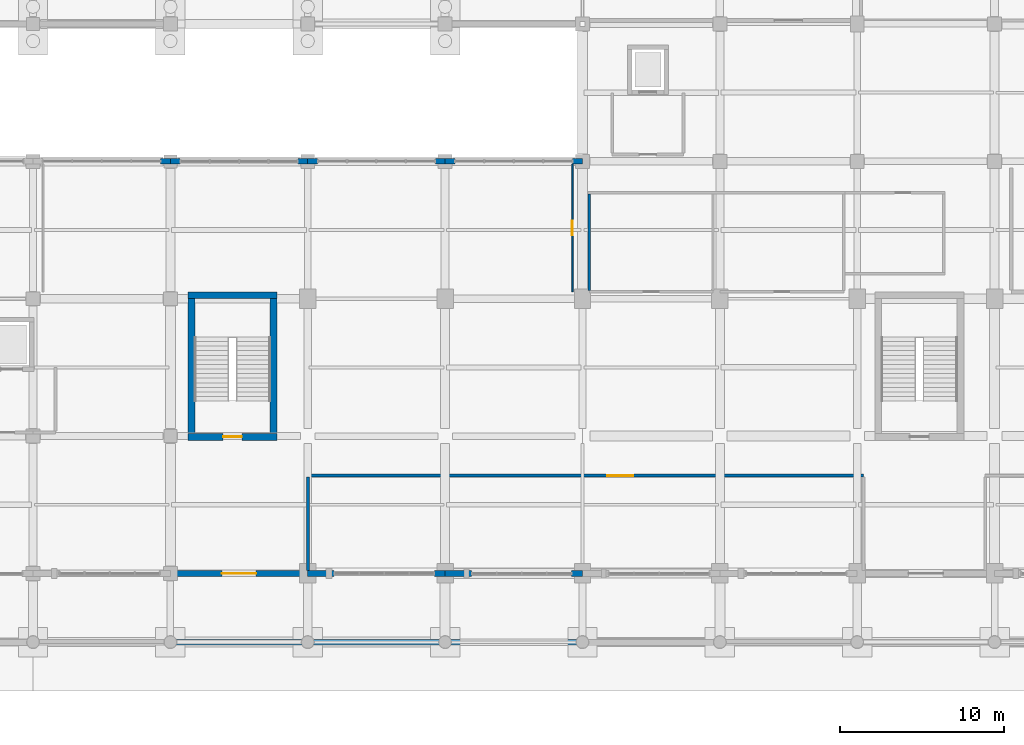
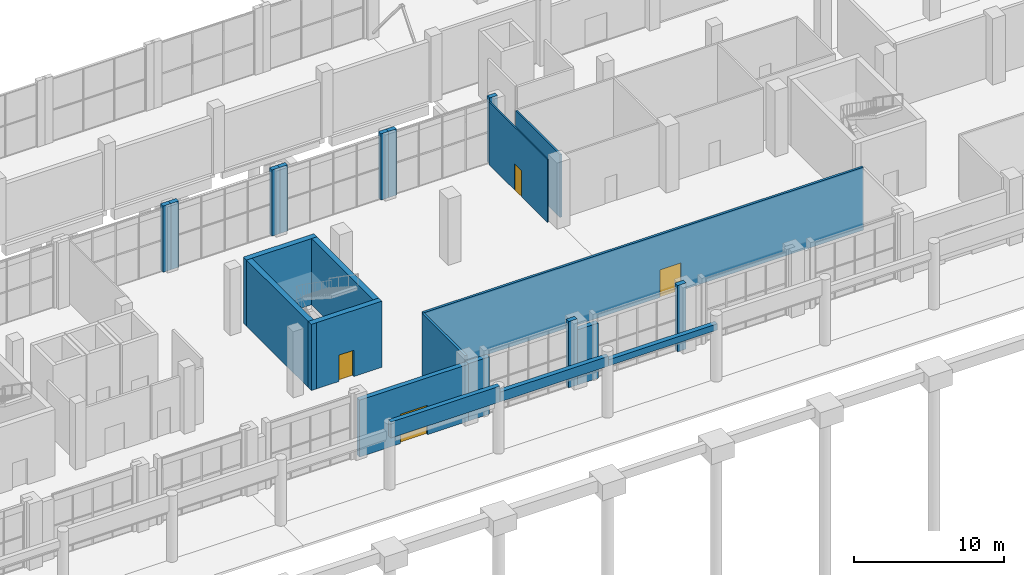
# One storey, part 67 of 82: 23 walls, 4 doors, 4 openings.
"""IFC4 building model written with IfcOpenShell, lengths in metres."""

from ifc_helpers import new_model, si_unit, derived_unit, direction, frame, frame_2d, origin, place, context, subcontext, project, spatial, rectangle, extrude, material, layer, layer_set, type_object, element, fill, save


model = new_model("IFC4")

# Units and contexts
model_context = context("Model", 3, precision=1e-05, world=origin(), true_north=direction((0.0, 1.0)))
body_context = subcontext(model_context, "Body", "Model", "MODEL_VIEW")
ifc_project = project(units=[si_unit("LENGTHUNIT", "METRE"), si_unit("AREAUNIT", "SQUARE_METRE"), si_unit("VOLUMEUNIT", "CUBIC_METRE"), si_unit("PLANEANGLEUNIT", "RADIAN"), si_unit("MASSUNIT", "GRAM", prefix="KILO"), derived_unit("THERMALTRANSMITTANCEUNIT", [(si_unit("POWERUNIT", "WATT"), 1), (si_unit("LENGTHUNIT", "METRE"), -2), (si_unit("THERMODYNAMICTEMPERATUREUNIT", "KELVIN"), -1)])], contexts=[model_context])

# Site, building, storey
site_placement = place(None, origin())
site = spatial("IfcSite", under=ifc_project, at=site_placement, CompositionType="ELEMENT")
building_placement = place(site_placement, origin())
building = spatial("IfcBuilding", under=site, at=building_placement, Name="Barrovel Congress Hotel", CompositionType="ELEMENT")
storey_placement = place(building_placement, origin())
storey = spatial("IfcBuildingStorey", under=building, at=storey_placement, Name="L00", CompositionType="ELEMENT", Elevation=0.0)

# Walls
ifc_material_1 = material(Name="Fired Clay Brick Masonry", Category="masonry")
ifc_layer_1 = layer(ifc_material_1, 0.35009765625)
ifc_layer_set_1 = layer_set([ifc_layer_1], Name="Fired Clay Brick Masonry")
wall_type_1 = type_object("IfcWallType", Name="EW-ARC350", PredefinedType="STANDARD", material=ifc_layer_set_1)
wall_1_placement = place(storey_placement, frame((100.800048828125, 0.0, 4.10009765625), z_axis=(0.0, 0.0, 1.0), x_axis=(1.0, 0.0, 0.0)))
element("IfcWall", 1, at=wall_1_placement, inside=storey, type_object=wall_type_1, Name="EW:L00:ARC:12", PredefinedType="STANDARD", context=body_context, shape_type="SweptSolid", body=[
    extrude(rectangle(XDim=8.39990234375, YDim=0.35009765625, at=frame_2d((4.199951171875, 0.0))), origin(), (0.0, 0.0, 1.0), 1.2998046875),
])
wall_2_placement = place(storey_placement, frame((109.199951171875, 0.0, 4.10009765625), z_axis=(0.0, 0.0, 1.0), x_axis=(1.0, 0.0, 0.0)))
element("IfcWall", 2, at=wall_2_placement, inside=storey, type_object=wall_type_1, Name="EW:L00:ARC:13", PredefinedType="STANDARD", context=body_context, shape_type="SweptSolid", body=[
    extrude(rectangle(XDim=8.400146484375, YDim=0.35009765625, at=frame_2d((4.2001953125, 0.0))), origin(), (0.0, 0.0, 1.0), 0.79296875),
])
wall_3_placement = place(storey_placement, frame((117.60009765625, 0.0, 4.10009765625), z_axis=(0.0, 0.0, 1.0), x_axis=(1.0, 0.0, 0.0)))
element("IfcWall", 3, at=wall_3_placement, inside=storey, type_object=wall_type_1, Name="EW:L00:ARC:14", PredefinedType="STANDARD", context=body_context, shape_type="SweptSolid", body=[
    extrude(rectangle(XDim=8.39990234375, YDim=0.35009765625, at=frame_2d((4.199951171875, 0.0))), origin(), (0.0, 0.0, 1.0), 0.5068359375),
])
ifc_layer_2 = layer(ifc_material_1, 0.340087890625)
ifc_layer_set_2 = layer_set([ifc_layer_2], Name="Fired Clay Brick Masonry")
wall_type_2 = type_object("IfcWallType", Name="EW-BRK340", PredefinedType="STANDARD", material=ifc_layer_set_2)
wall_4_placement = place(storey_placement, frame((126.0, 29.39990234375, 0.0), z_axis=(0.0, 0.0, 1.0), x_axis=(-1.0, 0.0, 0.0)))
element("IfcWall", 4, at=wall_4_placement, inside=storey, type_object=wall_type_2, Name="EW:L00:CSJ-R:14", PredefinedType="STANDARD", context=body_context, shape_type="SweptSolid", body=[
    extrude(rectangle(XDim=0.60009765625, YDim=0.340087890625, at=frame_2d((0.300048828125, 0.0))), origin(), (0.0, 0.0, 1.0), 5.39990234375),
])
wall_5_placement = place(storey_placement, frame((118.199951171875, 29.39990234375, 0.0), z_axis=(0.0, 0.0, 1.0), x_axis=(-1.0, 0.0, 0.0)))
element("IfcWall", 5, at=wall_5_placement, inside=storey, type_object=wall_type_2, Name="EW:L00:CSJ-L:14", PredefinedType="STANDARD", context=body_context, shape_type="SweptSolid", body=[
    extrude(rectangle(XDim=0.599853515625, YDim=0.340087890625, at=frame_2d((0.2998046875, 0.0))), origin(), (0.0, 0.0, 1.0), 5.39990234375),
])
for number, where, z_axis, x_axis, name in (
    (6, (117.60009765625, 29.39990234375, 0.0), (0.0, 0.0, 1.0), (-1.0, 0.0, 0.0), "EW:L00:CSJ-R:13"),
    (7, (109.800048828125, 29.39990234375, 0.0), (0.0, 0.0, 1.0), (-1.0, 0.0, 0.0), "EW:L00:CSJ-L:13"),
):
    element("IfcWall", number, at=place(storey_placement, frame(where, z_axis=z_axis, x_axis=x_axis)), inside=storey, type_object=wall_type_2, Name=name, PredefinedType="STANDARD", context=body_context, shape_type="SweptSolid", body=[
        extrude(rectangle(XDim=0.60009765625, YDim=0.340087890625, at=frame_2d((0.300048828125, 0.0))), origin(), (0.0, 0.0, 1.0), 5.39990234375),
    ])
for number, where, z_axis, x_axis, name in (
    (8, (109.199951171875, 29.39990234375, 0.0), (0.0, 0.0, 1.0), (-1.0, 0.0, 0.0), "EW:L00:CSJ-R:12"),
    (9, (101.39990234375, 29.39990234375, 0.0), (0.0, 0.0, 1.0), (-1.0, 0.0, 0.0), "EW:L00:CSJ-L:12"),
):
    element("IfcWall", number, at=place(storey_placement, frame(where, z_axis=z_axis, x_axis=x_axis)), inside=storey, type_object=wall_type_2, Name=name, PredefinedType="STANDARD", context=body_context, shape_type="SweptSolid", body=[
        extrude(rectangle(XDim=0.599853515625, YDim=0.340087890625, at=frame_2d((0.2998046875, 0.0))), origin(), (0.0, 0.0, 1.0), 5.39990234375),
    ])
wall_6_placement = place(storey_placement, frame((100.800048828125, 29.39990234375, 0.0), z_axis=(0.0, 0.0, 1.0), x_axis=(-1.0, 0.0, 0.0)))
element("IfcWall", 10, at=wall_6_placement, inside=storey, type_object=wall_type_2, Name="EW:L00:CSJ-R:11", PredefinedType="STANDARD", context=body_context, shape_type="SweptSolid", body=[
    extrude(rectangle(XDim=0.60009765625, YDim=0.340087890625, at=frame_2d((0.300048828125, 0.0))), origin(), (0.0, 0.0, 1.0), 5.39990234375),
])

# Wall, opening, door
ifc_layer_3 = layer(ifc_material_1, 0.360107421875)
ifc_layer_set_3 = layer_set([ifc_layer_3], Name="Fired Clay Brick Masonry")
wall_type_3 = type_object("IfcWallType", Name="EW-BRK360", PredefinedType="STANDARD", material=ifc_layer_set_3)
wall_7_placement = place(storey_placement, frame((100.800048828125, 4.199951171875, 0.0), z_axis=(0.0, 0.0, 1.0), x_axis=(1.0, 0.0, 0.0)))
wall_7 = element("IfcWall", 11, at=wall_7_placement, inside=storey, type_object=wall_type_3, Name="EW:L00:S:12", PredefinedType="STANDARD", context=body_context, shape_type="SweptSolid", body=[
    extrude(rectangle(XDim=8.39990234375, YDim=0.360107421875, at=frame_2d((4.199951171875, 0.0))), origin(), (0.0, 0.0, 1.0), 4.639892578125),
])
opening_1_placement = place(wall_7_placement, frame((5.25, 0.0, 0.0), z_axis=(0.0, 0.0, 1.0), x_axis=(-1.0, 0.0, 0.0)))
opening_1 = element("IfcOpeningElement", 12, at=opening_1_placement, cuts=wall_7, Name="Opening ED-01", PredefinedType="OPENING", context=body_context, shape_type="SweptSolid", body=[
    extrude(rectangle(XDim=2.10009765625, YDim=2.39990234375, at=frame_2d((1.050048828125, 1.199951171875))), frame((0.0, 0.18994140625, 0.0), z_axis=(0.0, -1.0, 0.0), x_axis=(1.0, 0.0, 0.0)), (0.0, 0.0, 1.0), 0.380126953125),
])
ifc_material_2 = material(Name="Anodised Aluminium Glazed Door", Category="aluminium")
door_type_1 = type_object("IfcDoorType", Name="EDR-ED-01", OperationType="NOTDEFINED", PredefinedType="DOOR", material=ifc_material_2)
door_1_placement = place(opening_1_placement, origin())
door_1 = element("IfcDoor", 13, at=door_1_placement, inside=storey, type_object=door_type_1, Name="Grade Exit Door E-04", OperationType="DOUBLE_DOOR_SINGLE_SWING", OverallHeight=2.39990234375, OverallWidth=2.10009765625, PredefinedType="DOOR", context=body_context, shape_type="SweptSolid", body=[
    extrude(rectangle(XDim=2.10009765625, YDim=2.39990234375, at=frame_2d((1.050048828125, 1.199951171875))), frame((0.0, 0.02490234375, 0.0), z_axis=(0.0, -1.0, 0.0), x_axis=(1.0, 0.0, 0.0)), (0.0, 0.0, 1.0), 0.050048828125),
])
fill(opening_1, door_1)

# Walls
wall_8_placement = place(storey_placement, frame((109.199951171875, 4.199951171875, 0.0), z_axis=(0.0, 0.0, 1.0), x_axis=(1.0, 0.0, 0.0)))
element("IfcWall", 14, at=wall_8_placement, inside=storey, type_object=wall_type_3, Name="EW:L00:SJ-L:13", PredefinedType="STANDARD", context=body_context, shape_type="SweptSolid", body=[
    extrude(rectangle(XDim=1.6201171875, YDim=0.360107421875, at=frame_2d((0.81005859375, 0.0))), origin(), (0.0, 0.0, 1.0), 4.679931640625),
])
wall_9_placement = place(storey_placement, frame((116.93994140625, 4.199951171875, 0.0), z_axis=(0.0, 0.0, 1.0), x_axis=(1.0, 0.0, 0.0)))
element("IfcWall", 15, at=wall_9_placement, inside=storey, type_object=wall_type_3, Name="EW:L00:SJ-R:13", PredefinedType="STANDARD", context=body_context, shape_type="SweptSolid", body=[
    extrude(rectangle(XDim=0.66015625, YDim=0.360107421875, at=frame_2d((0.330078125, 0.0))), origin(), (0.0, 0.0, 1.0), 5.39990234375),
])
wall_10_placement = place(storey_placement, frame((117.60009765625, 4.199951171875, 0.0), z_axis=(0.0, 0.0, 1.0), x_axis=(1.0, 0.0, 0.0)))
element("IfcWall", 16, at=wall_10_placement, inside=storey, type_object=wall_type_3, Name="EW:L00:SJ-L:14", PredefinedType="STANDARD", context=body_context, shape_type="SweptSolid", body=[
    extrude(rectangle(XDim=1.619873046875, YDim=0.360107421875, at=frame_2d((0.81005859375, 0.0))), origin(), (0.0, 0.0, 1.0), 4.489990234375),
])
wall_11_placement = place(storey_placement, frame((125.340087890625, 4.199951171875, 0.0), z_axis=(0.0, 0.0, 1.0), x_axis=(1.0, 0.0, 0.0)))
element("IfcWall", 17, at=wall_11_placement, inside=storey, type_object=wall_type_3, Name="EW:L00:SJ-R:14", PredefinedType="STANDARD", context=body_context, shape_type="SweptSolid", body=[
    extrude(rectangle(XDim=0.659912109375, YDim=0.360107421875, at=frame_2d((0.330078125, 0.0))), origin(), (0.0, 0.0, 1.0), 5.39990234375),
])

# Wall, opening, door
ifc_material_3 = material(Name="Gypsum Acoustic Stud", Category="gypsum")
ifc_layer_4 = layer(ifc_material_3, 0.179931640625)
ifc_layer_set_4 = layer_set([ifc_layer_4], Name="Gypsum Acoustic Stud")
wall_type_4 = type_object("IfcWallType", Name="PW-ACU-180", PredefinedType="PARTITIONING", material=ifc_layer_set_4)
wall_12_placement = place(storey_placement, frame((109.219970703125, 10.179931640625, 0.0), z_axis=(0.0, 0.0, 1.0), x_axis=(1.0, 0.0, 0.0)))
wall_12 = element("IfcWall", 18, at=wall_12_placement, inside=storey, type_object=wall_type_4, Name="RW:SP:L00:ADD:N", PredefinedType="PARTITIONING", context=body_context, shape_type="SweptSolid", body=[
    extrude(rectangle(XDim=33.9599609375, YDim=0.179931640625, at=frame_2d((16.97998046875, 0.0))), origin(), (0.0, 0.0, 1.0), 5.135009765625),
])
opening_2_placement = place(wall_12_placement, frame((18.280029296875, 0.0, 0.0)))
opening_2 = element("IfcOpeningElement", 19, at=opening_2_placement, cuts=wall_12, Name="Opening ID-MTG", PredefinedType="OPENING", context=body_context, shape_type="SweptSolid", body=[
    extrude(rectangle(XDim=1.60009765625, YDim=2.25, at=frame_2d((0.800048828125, 1.125))), frame((0.0, 0.10009765625, 0.0), z_axis=(0.0, -1.0, 0.0), x_axis=(1.0, 0.0, 0.0)), (0.0, 0.0, 1.0), 0.199951171875),
])
ifc_material_4 = material(Name="Solid Oak Acoustic Timber Door", Category="wood")
door_type_2 = type_object("IfcDoorType", Name="IDR-ID-MTG", OperationType="NOTDEFINED", PredefinedType="DOOR", material=ifc_material_4)
door_2_placement = place(opening_2_placement, origin())
door_2 = element("IfcDoor", 20, at=door_2_placement, inside=storey, type_object=door_type_2, Name="RD:SP:L00:ADD", OperationType="DOUBLE_DOOR_SINGLE_SWING", OverallHeight=2.25, OverallWidth=1.60009765625, PredefinedType="DOOR", context=body_context, shape_type="SweptSolid", body=[
    extrude(rectangle(XDim=1.60009765625, YDim=2.25, at=frame_2d((0.800048828125, 1.125))), frame((0.0, 0.02490234375, 0.0), z_axis=(0.0, -1.0, 0.0), x_axis=(1.0, 0.0, 0.0)), (0.0, 0.0, 1.0), 0.050048828125),
])
fill(opening_2, door_2)

# Wall
wall_13_placement = place(storey_placement, frame((109.219970703125, 4.3798828125, 0.0), z_axis=(0.0, 0.0, 1.0), x_axis=(0.0, 1.0, 0.0)))
element("IfcWall", 21, at=wall_13_placement, inside=storey, type_object=wall_type_4, Name="RW:SP:L00:ADD:W", PredefinedType="PARTITIONING", context=body_context, shape_type="SweptSolid", body=[
    extrude(rectangle(XDim=5.710205078125, YDim=0.179931640625, at=frame_2d((2.85498046875, 0.0))), origin(), (0.0, 0.0, 1.0), 5.135009765625),
])

# Wall, opening, door
ifc_layer_5 = layer(ifc_material_3, 0.10009765625)
ifc_layer_set_5 = layer_set([ifc_layer_5], Name="Gypsum Acoustic Stud")
wall_type_5 = type_object("IfcWallType", Name="PW-LGT-100", PredefinedType="PARTITIONING", material=ifc_layer_set_5)
wall_14_placement = place(storey_placement, frame((125.3798828125, 21.419921875, 0.0), z_axis=(0.0, 0.0, 1.0), x_axis=(0.0, 1.0, 0.0)))
wall_14 = element("IfcWall", 22, at=wall_14_placement, inside=storey, type_object=wall_type_5, Name="RW:SP:L00:VIP-LG:ED", PredefinedType="PARTITIONING", context=body_context, shape_type="SweptSolid", body=[
    extrude(rectangle(XDim=7.81005859375, YDim=0.10009765625, at=frame_2d((3.905029296875, 0.0))), origin(), (0.0, 0.0, 1.0), 5.135009765625),
])
opening_3_placement = place(wall_14_placement, frame((3.455078125, 0.0, 0.0)))
opening_3 = element("IfcOpeningElement", 23, at=opening_3_placement, cuts=wall_14, Name="Opening ID-WC1", PredefinedType="OPENING", context=body_context, shape_type="SweptSolid", body=[
    extrude(rectangle(XDim=0.89990234375, YDim=2.1201171875, at=frame_2d((0.449951171875, 1.06005859375))), frame((0.0, 0.06005859375, 0.0), z_axis=(0.0, -1.0, 0.0), x_axis=(1.0, 0.0, 0.0)), (0.0, 0.0, 1.0), 0.1201171875),
])
ifc_material_5 = material(Name="Lacquered Timber Moisture Door", Category="wood")
door_type_3 = type_object("IfcDoorType", Name="IDR-ID-WC1", OperationType="NOTDEFINED", PredefinedType="DOOR", material=ifc_material_5)
door_3_placement = place(opening_3_placement, origin())
door_3 = element("IfcDoor", 24, at=door_3_placement, inside=storey, type_object=door_type_3, Name="RD:SP:L00:VIP-LG", OperationType="SINGLE_SWING_RIGHT", OverallHeight=2.1201171875, OverallWidth=0.89990234375, PredefinedType="DOOR", context=body_context, shape_type="SweptSolid", body=[
    extrude(rectangle(XDim=0.89990234375, YDim=2.1201171875, at=frame_2d((0.449951171875, 1.06005859375))), frame((0.0, 0.02490234375, 0.0), z_axis=(0.0, -1.0, 0.0), x_axis=(1.0, 0.0, 0.0)), (0.0, 0.0, 1.0), 0.050048828125),
])
fill(opening_3, door_3)

# Wall
ifc_material_6 = material(Name="Gypsum Moisture Board", Category="gypsum")
ifc_layer_6 = layer(ifc_material_6, 0.139892578125)
ifc_layer_set_6 = layer_set([ifc_layer_6], Name="Gypsum Moisture Board")
wall_type_6 = type_object("IfcWallType", Name="PW-WET-140", PredefinedType="PARTITIONING", material=ifc_layer_set_6)
wall_15_placement = place(storey_placement, frame((126.419921875, 21.489990234375, 0.0), z_axis=(0.0, 0.0, 1.0), x_axis=(0.0, 1.0, 0.0)))
element("IfcWall", 25, at=wall_15_placement, inside=storey, type_object=wall_type_6, Name="RW:SP:L00:WC-M0:W", PredefinedType="PARTITIONING", context=body_context, shape_type="SweptSolid", body=[
    extrude(rectangle(XDim=5.919921875, YDim=0.139892578125, at=frame_2d((2.9599609375, 0.0))), origin(), (0.0, 0.0, 1.0), 5.135009765625),
])

# Wall, opening, door
ifc_material_7 = material(Name="Concrete C50", Category="concrete")
ifc_layer_7 = layer(ifc_material_7, 0.419921875)
ifc_layer_set_7 = layer_set([ifc_layer_7], Name="Concrete C50")
wall_type_7 = type_object("IfcWallType", Name="SW-C50-420", PredefinedType="SHEAR", material=ifc_layer_set_7)
wall_16_placement = place(storey_placement, frame((101.8798828125, 12.550048828125, 0.0), z_axis=(0.0, 0.0, 1.0), x_axis=(1.0, 0.0, 0.0)))
wall_16 = element("IfcWall", 26, at=wall_16_placement, inside=storey, type_object=wall_type_7, Name="SHW:XS-03:L00:S", PredefinedType="SHEAR", context=body_context, shape_type="SweptSolid", body=[
    extrude(rectangle(XDim=5.440185546875, YDim=0.419921875, at=frame_2d((2.72021484375, 0.0))), origin(), (0.0, 0.0, 1.0), 5.39990234375),
])
opening_4_placement = place(wall_16_placement, frame((3.294921875, 0.0, 0.0), z_axis=(0.0, 0.0, 1.0), x_axis=(-1.0, 0.0, 0.0)))
opening_4 = element("IfcOpeningElement", 27, at=opening_4_placement, cuts=wall_16, Name="Opening ID-ST1", PredefinedType="OPENING", context=body_context, shape_type="SweptSolid", body=[
    extrude(rectangle(XDim=1.14990234375, YDim=2.14990234375, at=frame_2d((0.574951171875, 1.074951171875))), frame((0.0, 0.219970703125, 0.0), z_axis=(0.0, -1.0, 0.0), x_axis=(1.0, 0.0, 0.0)), (0.0, 0.0, 1.0), 0.43994140625),
])
ifc_material_8 = material(Name="Painted Hollow-Metal Steel Door", Category="steel")
door_type_4 = type_object("IfcDoorType", Name="IDR-ID-ST1", OperationType="NOTDEFINED", PredefinedType="DOOR", material=ifc_material_8)
door_4_placement = place(opening_4_placement, origin())
door_4 = element("IfcDoor", 28, at=door_4_placement, inside=storey, type_object=door_type_4, Name="Stair Core Fire Door XS-03-L00", OperationType="SINGLE_SWING_RIGHT", OverallHeight=2.14990234375, OverallWidth=1.14990234375, PredefinedType="DOOR", context=body_context, shape_type="SweptSolid", body=[
    extrude(rectangle(XDim=1.14990234375, YDim=2.14990234375, at=frame_2d((0.574951171875, 1.074951171875))), frame((0.0, 0.02490234375, 0.0), z_axis=(0.0, -1.0, 0.0), x_axis=(1.0, 0.0, 0.0)), (0.0, 0.0, 1.0), 0.050048828125),
])
fill(opening_4, door_4)

# Walls
wall_17_placement = place(storey_placement, frame((107.110107421875, 12.340087890625, 0.0), z_axis=(0.0, 0.0, 1.0), x_axis=(0.0, 1.0, 0.0)))
element("IfcWall", 29, at=wall_17_placement, inside=storey, type_object=wall_type_7, Name="SHW:XS-03:L00:E", PredefinedType="SHEAR", context=body_context, shape_type="SweptSolid", body=[
    extrude(rectangle(XDim=9.079833984375, YDim=0.419921875, at=frame_2d((4.5400390625, 0.0))), origin(), (0.0, 0.0, 1.0), 5.39990234375),
])
wall_18_placement = place(storey_placement, frame((107.320068359375, 21.2099609375, 0.0), z_axis=(0.0, 0.0, 1.0), x_axis=(-1.0, 0.0, 0.0)))
element("IfcWall", 30, at=wall_18_placement, inside=storey, type_object=wall_type_7, Name="SHW:XS-03:L00:N", PredefinedType="SHEAR", context=body_context, shape_type="SweptSolid", body=[
    extrude(rectangle(XDim=5.440185546875, YDim=0.419921875, at=frame_2d((2.72021484375, 0.0))), origin(), (0.0, 0.0, 1.0), 5.39990234375),
])
wall_19_placement = place(storey_placement, frame((102.090087890625, 21.419921875, 0.0), z_axis=(0.0, 0.0, 1.0), x_axis=(0.0, -1.0, 0.0)))
element("IfcWall", 31, at=wall_19_placement, inside=storey, type_object=wall_type_7, Name="SHW:XS-03:L00:W", PredefinedType="SHEAR", context=body_context, shape_type="SweptSolid", body=[
    extrude(rectangle(XDim=9.079833984375, YDim=0.419921875, at=frame_2d((4.5400390625, 0.0))), origin(), (0.0, 0.0, 1.0), 5.39990234375),
])

save(model, "model.ifc")
